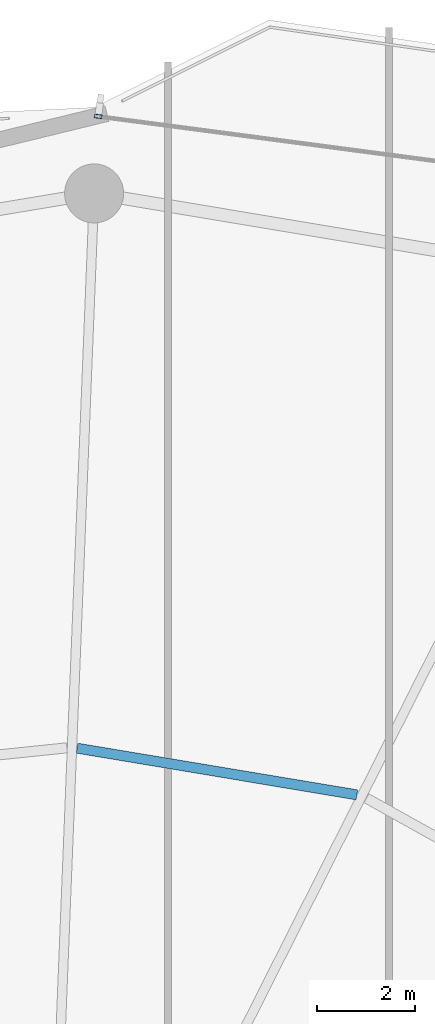
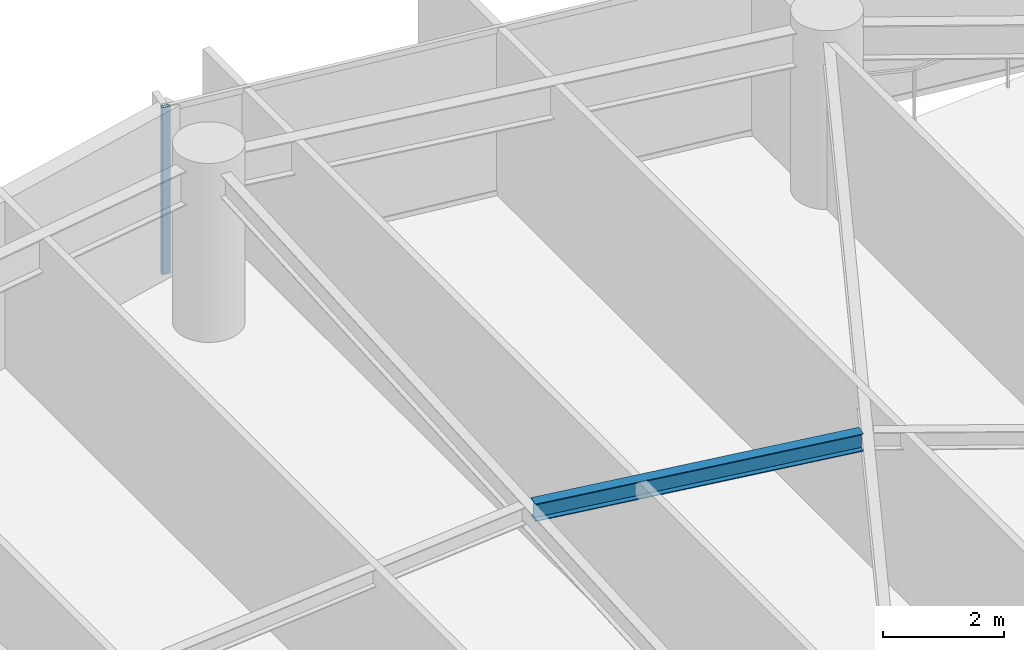
# One storey, part 20 of 30: 1 beam, 1 member, 1 element without a shape of its own.
"""IFC4 building model written with IfcOpenShell, lengths in metres."""

from ifc_helpers import new_model, si_unit, direction, frame, origin, origin_2d, place, context, subcontext, project, spatial, hollow_rectangle, i_section, extrude, material, layer, layer_set, material_profile, profile_set, type_object, element, aggregate, save


model = new_model("IFC4")

# Units and contexts
model_context = context("Model", 3, precision=1e-05, world=origin(), true_north=direction((0.0, 1.0)))
body_context = subcontext(model_context, "Body", "Model", "MODEL_VIEW")
ifc_project = project(units=[si_unit("LENGTHUNIT", "METRE"), si_unit("AREAUNIT", "SQUARE_METRE"), si_unit("VOLUMEUNIT", "CUBIC_METRE"), si_unit("PLANEANGLEUNIT", "RADIAN"), si_unit("MASSUNIT", "GRAM", prefix="KILO")], contexts=[model_context])

# Site, building, storey
site_placement = place(None, origin())
site = spatial("IfcSite", under=ifc_project, at=site_placement, CompositionType="ELEMENT")
building_placement = place(site_placement, origin())
building = spatial("IfcBuilding", under=site, at=building_placement, Name="Kazevale Care Tower and Concert Hall", CompositionType="ELEMENT")
storey_placement = place(building_placement, frame((0.0, 0.0, 113.39990234375)))
storey = spatial("IfcBuildingStorey", under=building, at=storey_placement, Name="L29", CompositionType="ELEMENT", Elevation=113.39990234375)

# Curtain wall, member
ifc_material_1 = material(Name="Aluminium 6063-T6 and Low-E Glass", Category="aluminium")
ifc_layer = layer(ifc_material_1, 0.179931640625)
ifc_layer_set = layer_set([ifc_layer], Name="Aluminium 6063-T6 and Low-E Glass")
curtain_wall_type = type_object("IfcCurtainWallType", Name="Convex Recessed Sunroom Curtain Wall CW-3", PredefinedType="NOTDEFINED", material=ifc_layer_set)
curtain_wall_placement = place(storey_placement, origin())
curtain_wall = element("IfcCurtainWall", 1, at=curtain_wall_placement, inside=storey, type_object=curtain_wall_type, Name="cw:L29:f16", PredefinedType="NOTDEFINED")
ifc_material_2 = material(Name="Aluminium 6063-T6", Category="aluminium")
ifc_material_profile_1 = material_profile(ifc_material_2, hollow_rectangle(XDim=0.074951171875, YDim=0.14990234375, WallThickness=0.00390625, at=origin_2d()), Name="ALU75x150x4")
ifc_profile_set_1 = profile_set([ifc_material_profile_1], Name="Aluminium 6063-T6")
member_type = type_object("IfcMemberType", Name="CW-3 Mullion ALU75x150x4", PredefinedType="MULLION", material=ifc_profile_set_1)
member_placement = place(storey_placement, frame((45.084228515625, 63.01708984375, 0.0), z_axis=(0.0, 0.0, 1.0), x_axis=(0.130822374277, 0.991405823257, 0.0)))
member = element("IfcMember", 2, at=member_placement, type_object=member_type, Name="CW-3 mullion 1", PredefinedType="MULLION", context=body_context, shape_type="SweptSolid", body=[
    extrude(hollow_rectangle(XDim=0.074951171875, YDim=0.14990234375, WallThickness=0.00390625, at=origin_2d()), origin(), (0.0, 0.0, 1.0), 3.360107421875),
])
aggregate(curtain_wall, [member])

# Beam
ifc_material_3 = material(Name="Steel ASTM A572 Gr 50", Category="steel")
ifc_material_profile_2 = material_profile(ifc_material_3, i_section(OverallWidth=0.205078125, OverallDepth=0.35400390625, WebThickness=0.009521484375, FlangeThickness=0.016845703125, at=origin_2d()), Name="W360x79")
ifc_profile_set_2 = profile_set([ifc_material_profile_2], Name="Steel ASTM A572 Gr 50")
beam_type = type_object("IfcBeamType", Name="Secondary Floor Joist W360x79", PredefinedType="JOIST", material=ifc_profile_set_2)
beam_placement = place(storey_placement, frame((50.347900390625, 49.2099609375, 3.18310546875), z_axis=(-0.986366476547, 0.164563586324, 0.0), x_axis=(-0.164563586324, -0.986366476547, 0.0)))
element("IfcBeam", 3, at=beam_placement, inside=storey, type_object=beam_type, Name="beam:L29:joist:04", PredefinedType="JOIST", context=body_context, shape_type="SweptSolid", body=[
    extrude(i_section(OverallWidth=0.205078125, OverallDepth=0.35400390625, WebThickness=0.009521484375, FlangeThickness=0.016845703125, at=origin_2d()), origin(), (0.0, 0.0, 1.0), 5.7724609375),
])

save(model, "model.ifc")
